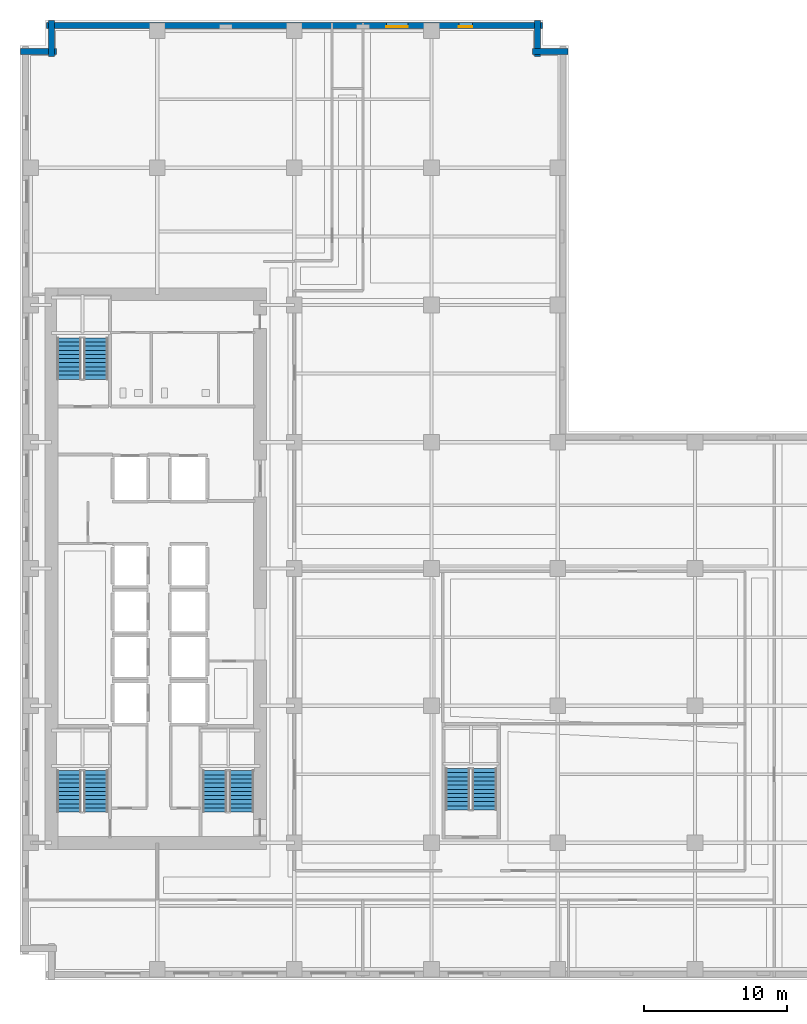
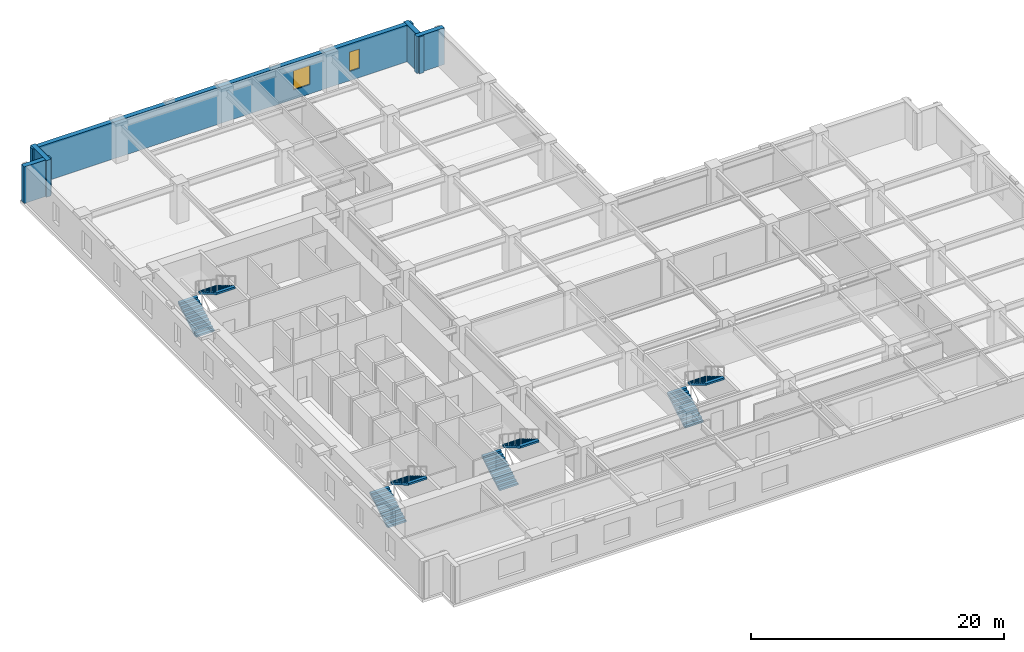
# One storey, part 8 of 13: 8 stair flights, 5 walls, 2 windows, 2 openings, 4 elements without a shape of their own.
"""IFC4 building model written with IfcOpenShell, lengths in metres."""

from ifc_helpers import new_model, si_unit, direction, frame, frame_2d, origin, place, context, subcontext, project, spatial, polyline, rectangle, outline, extrude, material, layer, layer_set, type_object, element, fill, aggregate, save


model = new_model("IFC4")

# Units and contexts
model_context = context("Model", 3, precision=1e-05, world=origin(), true_north=direction((0.0, 1.0)))
body_context = subcontext(model_context, "Body", "Model", "MODEL_VIEW")
ifc_project = project(units=[si_unit("LENGTHUNIT", "METRE"), si_unit("AREAUNIT", "SQUARE_METRE"), si_unit("VOLUMEUNIT", "CUBIC_METRE"), si_unit("PLANEANGLEUNIT", "RADIAN"), si_unit("MASSUNIT", "GRAM", prefix="KILO")], contexts=[model_context])

# Site, building, storey
site_placement = place(None, origin())
site = spatial("IfcSite", under=ifc_project, at=site_placement, CompositionType="ELEMENT")
building_placement = place(site_placement, origin())
building = spatial("IfcBuilding", under=site, at=building_placement, Name="Norrvale University Quadrangle", CompositionType="ELEMENT")
storey_placement = place(building_placement, frame((0.0, 0.0, 66.0)))
storey = spatial("IfcBuildingStorey", under=building, at=storey_placement, Name="L16", CompositionType="ELEMENT", Elevation=66.0)

# Walls
ifc_material_1 = material(Name="Buff Norman Clay Brick Masonry", Category="masonry")
ifc_layer = layer(ifc_material_1, 0.419921875, Name="Buff Norman Clay Brick Masonry")
ifc_layer_set = layer_set([ifc_layer], Name="Buff Norman Clay Brick Masonry")
wall_type = type_object("IfcWallType", Name="Wall Buff Brick 420", PredefinedType="SOLIDWALL", material=ifc_layer_set)
for number, where, z_axis, x_axis, name in (
    (1, (38.360107421875, 65.010009765625, 0.0), (0.0, 0.0, 1.0), (-1.0, 0.0, 0.0), "Exterior Brick Facade Wall L16-09.1"),
    (2, (36.2099609375, 64.659912109375, 0.0), (0.0, 0.0, 1.0), (0.0, 1.0, 0.0), "Exterior Brick Facade Wall L16-10.1"),
):
    element("IfcWall", number, at=place(storey_placement, frame(where, z_axis=z_axis, x_axis=x_axis)), inside=storey, type_object=wall_type, Name=name, PredefinedType="SOLIDWALL", context=body_context, shape_type="SweptSolid", body=[
        extrude(rectangle(XDim=2.5, YDim=0.419921875, at=frame_2d((1.25, 0.0))), origin(), (0.0, 0.0, 1.0), 3.5400390625),
    ])

# Wall, openings, windows
wall_placement = place(storey_placement, frame((36.56005859375, 66.81005859375, 0.0), z_axis=(0.0, 0.0, 1.0), x_axis=(-1.0, 0.0, 0.0)))
wall = element("IfcWall", 3, at=wall_placement, inside=storey, type_object=wall_type, Name="Exterior Brick Facade Wall L16-11.1", PredefinedType="SOLIDWALL", context=body_context, shape_type="SweptSolid", body=[
    extrude(rectangle(XDim=34.719970703125, YDim=0.419921875, at=frame_2d((17.35986328125, 0.0))), origin(), (0.0, 0.0, 1.0), 3.5400390625),
])
opening_1_placement = place(wall_placement, frame((4.885009765625, 0.0, 0.89990234375)))
opening_1 = element("IfcOpeningElement", 4, at=opening_1_placement, cuts=wall, Name="Opening W04", PredefinedType="OPENING", context=body_context, shape_type="SweptSolid", body=[
    extrude(rectangle(XDim=0.949951171875, YDim=1.85009765625, at=frame_2d((0.47509765625, 0.925048828125))), frame((0.0, 0.221923828125, 0.0), z_axis=(0.0, -1.0, 0.0), x_axis=(1.0, 0.0, 0.0)), (0.0, 0.0, 1.0), 0.44384765625),
])
opening_2_placement = place(wall_placement, frame((9.409912109375, 0.0, 0.89990234375)))
opening_2 = element("IfcOpeningElement", 5, at=opening_2_placement, cuts=wall, Name="Opening W03", PredefinedType="OPENING", context=body_context, shape_type="SweptSolid", body=[
    extrude(rectangle(XDim=1.5, YDim=1.85009765625, at=frame_2d((0.75, 0.925048828125))), frame((0.0, 0.221923828125, 0.0), z_axis=(0.0, -1.0, 0.0), x_axis=(1.0, 0.0, 0.0)), (0.0, 0.0, 1.0), 0.44384765625),
])
ifc_material_2 = material(Name="Triple Low-E Argon Glazing", Category="glass")
window_type_1 = type_object("IfcWindowType", Name="Window Narrow Pier 950x2300", PartitioningType="SINGLE_PANEL", PredefinedType="WINDOW", material=ifc_material_2)
window_1_placement = place(opening_1_placement, origin())
window_1 = element("IfcWindow", 6, at=window_1_placement, inside=storey, type_object=window_type_1, Name="Window Narrow Pier 950x2300 WIN-L16-E11-1-01", OverallHeight=1.85009765625, OverallWidth=0.949951171875, PartitioningType="SINGLE_PANEL", PredefinedType="WINDOW", context=body_context, shape_type="SweptSolid", body=[
    extrude(rectangle(XDim=0.949951171875, YDim=1.85009765625, at=frame_2d((0.47509765625, 0.925048828125))), frame((0.0, 0.110107421875, 0.0), z_axis=(0.0, -1.0, 0.0), x_axis=(1.0, 0.0, 0.0)), (0.0, 0.0, 1.0), 0.06005859375),
])
fill(opening_1, window_1)
window_type_2 = type_object("IfcWindowType", Name="Window Studio 1500x2300", PartitioningType="DOUBLE_PANEL_VERTICAL", PredefinedType="WINDOW", material=ifc_material_2)
window_2_placement = place(opening_2_placement, origin())
window_2 = element("IfcWindow", 7, at=window_2_placement, inside=storey, type_object=window_type_2, Name="Window Studio 1500x2300 WIN-L16-E11-1-02", OverallHeight=1.85009765625, OverallWidth=1.5, PartitioningType="DOUBLE_PANEL_VERTICAL", PredefinedType="WINDOW", context=body_context, shape_type="SweptSolid", body=[
    extrude(rectangle(XDim=1.5, YDim=1.85009765625, at=frame_2d((0.75, 0.925048828125))), frame((0.0, 0.110107421875, 0.0), z_axis=(0.0, -1.0, 0.0), x_axis=(1.0, 0.0, 0.0)), (0.0, 0.0, 1.0), 0.06005859375),
])
fill(opening_2, window_2)

# Walls
for number, where, z_axis, x_axis, name in (
    (8, (2.18994140625, 67.159912109375, 0.0), (0.0, 0.0, 1.0), (0.0, -1.0, 0.0), "Exterior Brick Facade Wall L16-12.1"),
    (9, (2.5400390625, 65.010009765625, 0.0), (0.0, 0.0, 1.0), (-1.0, 0.0, 0.0), "Exterior Brick Facade Wall L16-13.1"),
):
    element("IfcWall", number, at=place(storey_placement, frame(where, z_axis=z_axis, x_axis=x_axis)), inside=storey, type_object=wall_type, Name=name, PredefinedType="SOLIDWALL", context=body_context, shape_type="SweptSolid", body=[
        extrude(rectangle(XDim=2.5, YDim=0.419921875, at=frame_2d((1.25, 0.0))), origin(), (0.0, 0.0, 1.0), 3.5400390625),
    ])

# Stair, stair flights
ifc_material_3 = material(Name="Concrete C40/50", Category="concrete")
stair_type = type_object("IfcStairType", Name="Stair Tower Typ 3800", PredefinedType="TWO_STRAIGHT_RUN_STAIR", material=ifc_material_3)
stair_1_placement = place(storey_placement, origin())
stair_1 = element("IfcStair", 10, at=stair_1_placement, inside=storey, type_object=stair_type, Name="Exit Stair ST-01 L16", PredefinedType="TWO_STRAIGHT_RUN_STAIR")
stair_flight_type = type_object("IfcStairFlightType", Name="Flight Typ 1500", PredefinedType="STRAIGHT", material=ifc_material_3)
stair_flight_1_placement = place(storey_placement, frame((3.429931640625, 11.75, 0.0), z_axis=(0.0, 0.0, 1.0), x_axis=(0.0, 1.0, 0.0)))
stair_flight_1 = element("IfcStairFlight", 11, at=stair_flight_1_placement, type_object=stair_flight_type, Name="Exit Stair ST-01 L16 Lower Flight", NumberOfRisers=11, NumberOfTreads=10, PredefinedType="STRAIGHT", RiserHeight=0.172727, TreadLength=0.29, context=body_context, shape_type="SweptSolid", body=[
    extrude(outline(polyline([(0.0, 0.0), (0.0, 0.172607421875), (0.2900390625, 0.172607421875), (0.2900390625, 0.345458984375), (0.580078125, 0.345458984375), (0.580078125, 0.51806640625), (0.8701171875, 0.51806640625), (0.8701171875, 0.69091796875), (1.159912109375, 0.69091796875), (1.159912109375, 0.863525390625), (1.449951171875, 0.863525390625), (1.449951171875, 1.036376953125), (1.739990234375, 1.036376953125), (1.739990234375, 1.208984375), (2.030029296875, 1.208984375), (2.030029296875, 1.3818359375), (2.320068359375, 1.3818359375), (2.320068359375, 1.554443359375), (2.610107421875, 1.554443359375), (2.610107421875, 1.727294921875), (2.89990234375, 1.727294921875), (2.89990234375, 1.89990234375), (2.89990234375, 1.552734375), (0.29296875, 0.0), (0.0, 0.0)])), frame((0.0, 0.83984375, 0.0), z_axis=(0.0, -1.0, 0.0), x_axis=(1.0, 0.0, 0.0)), (0.0, 0.0, 1.0), 1.679931640625),
])
stair_flight_2_placement = place(storey_placement, frame((5.320068359375, 14.64990234375, 1.89990234375), z_axis=(0.0, 0.0, 1.0), x_axis=(0.0, -1.0, 0.0)))
stair_flight_2 = element("IfcStairFlight", 12, at=stair_flight_2_placement, type_object=stair_flight_type, Name="Exit Stair ST-01 L16 Upper Flight", NumberOfRisers=11, NumberOfTreads=10, PredefinedType="STRAIGHT", RiserHeight=0.172727, TreadLength=0.29, context=body_context, shape_type="SweptSolid", body=[
    extrude(outline(polyline([(0.0, 0.0), (0.0, 0.172607421875), (0.2900390625, 0.172607421875), (0.2900390625, 0.345458984375), (0.580078125, 0.345458984375), (0.580078125, 0.51806640625), (0.8701171875, 0.51806640625), (0.8701171875, 0.69091796875), (1.159912109375, 0.69091796875), (1.159912109375, 0.863525390625), (1.449951171875, 0.863525390625), (1.449951171875, 1.036376953125), (1.739990234375, 1.036376953125), (1.739990234375, 1.208984375), (2.030029296875, 1.208984375), (2.030029296875, 1.3818359375), (2.320068359375, 1.3818359375), (2.320068359375, 1.554443359375), (2.610107421875, 1.554443359375), (2.610107421875, 1.727294921875), (2.89990234375, 1.727294921875), (2.89990234375, 1.89990234375), (2.89990234375, 1.552734375), (0.29296875, 0.0), (0.0, 0.0)])), frame((0.0, 0.83984375, 0.0), z_axis=(0.0, -1.0, 0.0), x_axis=(1.0, 0.0, 0.0)), (0.0, 0.0, 1.0), 1.679931640625),
])
aggregate(stair_1, [stair_flight_1, stair_flight_2])

stair_2_placement = place(storey_placement, origin())
stair_2 = element("IfcStair", 13, at=stair_2_placement, inside=storey, type_object=stair_type, Name="Exit Stair ST-02 L16", PredefinedType="TWO_STRAIGHT_RUN_STAIR")
stair_flight_3_placement = place(storey_placement, frame((3.429931640625, 42.050048828125, 0.0), z_axis=(0.0, 0.0, 1.0), x_axis=(0.0, 1.0, 0.0)))
stair_flight_3 = element("IfcStairFlight", 14, at=stair_flight_3_placement, type_object=stair_flight_type, Name="Exit Stair ST-02 L16 Lower Flight", NumberOfRisers=11, NumberOfTreads=10, PredefinedType="STRAIGHT", RiserHeight=0.172727, TreadLength=0.29, context=body_context, shape_type="SweptSolid", body=[
    extrude(outline(polyline([(0.0, 0.0), (0.0, 0.172607421875), (0.2900390625, 0.172607421875), (0.2900390625, 0.345458984375), (0.580078125, 0.345458984375), (0.580078125, 0.51806640625), (0.8701171875, 0.51806640625), (0.8701171875, 0.69091796875), (1.159912109375, 0.69091796875), (1.159912109375, 0.863525390625), (1.449951171875, 0.863525390625), (1.449951171875, 1.036376953125), (1.739990234375, 1.036376953125), (1.739990234375, 1.208984375), (2.030029296875, 1.208984375), (2.030029296875, 1.3818359375), (2.320068359375, 1.3818359375), (2.320068359375, 1.554443359375), (2.610107421875, 1.554443359375), (2.610107421875, 1.727294921875), (2.89990234375, 1.727294921875), (2.89990234375, 1.89990234375), (2.89990234375, 1.552734375), (0.29296875, 0.0), (0.0, 0.0)])), frame((0.0, 0.83984375, 0.0), z_axis=(0.0, -1.0, 0.0), x_axis=(1.0, 0.0, 0.0)), (0.0, 0.0, 1.0), 1.679931640625),
])
stair_flight_4_placement = place(storey_placement, frame((5.320068359375, 44.949951171875, 1.89990234375), z_axis=(0.0, 0.0, 1.0), x_axis=(0.0, -1.0, 0.0)))
stair_flight_4 = element("IfcStairFlight", 15, at=stair_flight_4_placement, type_object=stair_flight_type, Name="Exit Stair ST-02 L16 Upper Flight", NumberOfRisers=11, NumberOfTreads=10, PredefinedType="STRAIGHT", RiserHeight=0.172727, TreadLength=0.29, context=body_context, shape_type="SweptSolid", body=[
    extrude(outline(polyline([(0.0, 0.0), (0.0, 0.172607421875), (0.2900390625, 0.172607421875), (0.2900390625, 0.345458984375), (0.580078125, 0.345458984375), (0.580078125, 0.51806640625), (0.8701171875, 0.51806640625), (0.8701171875, 0.69091796875), (1.159912109375, 0.69091796875), (1.159912109375, 0.863525390625), (1.449951171875, 0.863525390625), (1.449951171875, 1.036376953125), (1.739990234375, 1.036376953125), (1.739990234375, 1.208984375), (2.030029296875, 1.208984375), (2.030029296875, 1.3818359375), (2.320068359375, 1.3818359375), (2.320068359375, 1.554443359375), (2.610107421875, 1.554443359375), (2.610107421875, 1.727294921875), (2.89990234375, 1.727294921875), (2.89990234375, 1.89990234375), (2.89990234375, 1.552734375), (0.29296875, 0.0), (0.0, 0.0)])), frame((0.0, 0.83984375, 0.0), z_axis=(0.0, -1.0, 0.0), x_axis=(1.0, 0.0, 0.0)), (0.0, 0.0, 1.0), 1.679931640625),
])
aggregate(stair_2, [stair_flight_3, stair_flight_4])

stair_3_placement = place(storey_placement, origin())
stair_3 = element("IfcStair", 16, at=stair_3_placement, inside=storey, type_object=stair_type, Name="Exit Stair ST-03 L16", PredefinedType="TWO_STRAIGHT_RUN_STAIR")
stair_flight_5_placement = place(storey_placement, frame((13.6298828125, 11.75, 0.0), z_axis=(0.0, 0.0, 1.0), x_axis=(0.0, 1.0, 0.0)))
stair_flight_5 = element("IfcStairFlight", 17, at=stair_flight_5_placement, type_object=stair_flight_type, Name="Exit Stair ST-03 L16 Lower Flight", NumberOfRisers=11, NumberOfTreads=10, PredefinedType="STRAIGHT", RiserHeight=0.172727, TreadLength=0.29, context=body_context, shape_type="SweptSolid", body=[
    extrude(outline(polyline([(0.0, 0.0), (0.0, 0.172607421875), (0.2900390625, 0.172607421875), (0.2900390625, 0.345458984375), (0.580078125, 0.345458984375), (0.580078125, 0.51806640625), (0.8701171875, 0.51806640625), (0.8701171875, 0.69091796875), (1.159912109375, 0.69091796875), (1.159912109375, 0.863525390625), (1.449951171875, 0.863525390625), (1.449951171875, 1.036376953125), (1.739990234375, 1.036376953125), (1.739990234375, 1.208984375), (2.030029296875, 1.208984375), (2.030029296875, 1.3818359375), (2.320068359375, 1.3818359375), (2.320068359375, 1.554443359375), (2.610107421875, 1.554443359375), (2.610107421875, 1.727294921875), (2.89990234375, 1.727294921875), (2.89990234375, 1.89990234375), (2.89990234375, 1.552734375), (0.29296875, 0.0), (0.0, 0.0)])), frame((0.0, 0.83984375, 0.0), z_axis=(0.0, -1.0, 0.0), x_axis=(1.0, 0.0, 0.0)), (0.0, 0.0, 1.0), 1.679931640625),
])
stair_flight_6_placement = place(storey_placement, frame((15.52001953125, 14.64990234375, 1.89990234375), z_axis=(0.0, 0.0, 1.0), x_axis=(0.0, -1.0, 0.0)))
stair_flight_6 = element("IfcStairFlight", 18, at=stair_flight_6_placement, type_object=stair_flight_type, Name="Exit Stair ST-03 L16 Upper Flight", NumberOfRisers=11, NumberOfTreads=10, PredefinedType="STRAIGHT", RiserHeight=0.172727, TreadLength=0.29, context=body_context, shape_type="SweptSolid", body=[
    extrude(outline(polyline([(0.0, 0.0), (0.0, 0.172607421875), (0.2900390625, 0.172607421875), (0.2900390625, 0.345458984375), (0.580078125, 0.345458984375), (0.580078125, 0.51806640625), (0.8701171875, 0.51806640625), (0.8701171875, 0.69091796875), (1.159912109375, 0.69091796875), (1.159912109375, 0.863525390625), (1.449951171875, 0.863525390625), (1.449951171875, 1.036376953125), (1.739990234375, 1.036376953125), (1.739990234375, 1.208984375), (2.030029296875, 1.208984375), (2.030029296875, 1.3818359375), (2.320068359375, 1.3818359375), (2.320068359375, 1.554443359375), (2.610107421875, 1.554443359375), (2.610107421875, 1.727294921875), (2.89990234375, 1.727294921875), (2.89990234375, 1.89990234375), (2.89990234375, 1.552734375), (0.29296875, 0.0), (0.0, 0.0)])), frame((0.0, 0.83984375, 0.0), z_axis=(0.0, -1.0, 0.0), x_axis=(1.0, 0.0, 0.0)), (0.0, 0.0, 1.0), 1.679931640625),
])
aggregate(stair_3, [stair_flight_5, stair_flight_6])

stair_4_placement = place(storey_placement, origin())
stair_4 = element("IfcStair", 19, at=stair_4_placement, inside=storey, type_object=stair_type, Name="Exit Stair ST-04 L16", PredefinedType="TWO_STRAIGHT_RUN_STAIR")
stair_flight_7_placement = place(storey_placement, frame((30.6298828125, 11.89990234375, 0.0), z_axis=(0.0, 0.0, 1.0), x_axis=(0.0, 1.0, 0.0)))
stair_flight_7 = element("IfcStairFlight", 20, at=stair_flight_7_placement, type_object=stair_flight_type, Name="Exit Stair ST-04 L16 Lower Flight", NumberOfRisers=11, NumberOfTreads=10, PredefinedType="STRAIGHT", RiserHeight=0.172727, TreadLength=0.29, context=body_context, shape_type="SweptSolid", body=[
    extrude(outline(polyline([(0.0, 0.0), (0.0, 0.172607421875), (0.2900390625, 0.172607421875), (0.2900390625, 0.345458984375), (0.580078125, 0.345458984375), (0.580078125, 0.51806640625), (0.8701171875, 0.51806640625), (0.8701171875, 0.69091796875), (1.159912109375, 0.69091796875), (1.159912109375, 0.863525390625), (1.449951171875, 0.863525390625), (1.449951171875, 1.036376953125), (1.739990234375, 1.036376953125), (1.739990234375, 1.208984375), (2.030029296875, 1.208984375), (2.030029296875, 1.3818359375), (2.320068359375, 1.3818359375), (2.320068359375, 1.554443359375), (2.610107421875, 1.554443359375), (2.610107421875, 1.727294921875), (2.89990234375, 1.727294921875), (2.89990234375, 1.89990234375), (2.89990234375, 1.552734375), (0.29296875, 0.0), (0.0, 0.0)])), frame((0.0, 0.83984375, 0.0), z_axis=(0.0, -1.0, 0.0), x_axis=(1.0, 0.0, 0.0)), (0.0, 0.0, 1.0), 1.679931640625),
])
stair_flight_8_placement = place(storey_placement, frame((32.52001953125, 14.800048828125, 1.89990234375), z_axis=(0.0, 0.0, 1.0), x_axis=(0.0, -1.0, 0.0)))
stair_flight_8 = element("IfcStairFlight", 21, at=stair_flight_8_placement, type_object=stair_flight_type, Name="Exit Stair ST-04 L16 Upper Flight", NumberOfRisers=11, NumberOfTreads=10, PredefinedType="STRAIGHT", RiserHeight=0.172727, TreadLength=0.29, context=body_context, shape_type="SweptSolid", body=[
    extrude(outline(polyline([(0.0, 0.0), (0.0, 0.172607421875), (0.2900390625, 0.172607421875), (0.2900390625, 0.345458984375), (0.580078125, 0.345458984375), (0.580078125, 0.51806640625), (0.8701171875, 0.51806640625), (0.8701171875, 0.69091796875), (1.159912109375, 0.69091796875), (1.159912109375, 0.863525390625), (1.449951171875, 0.863525390625), (1.449951171875, 1.036376953125), (1.739990234375, 1.036376953125), (1.739990234375, 1.208984375), (2.030029296875, 1.208984375), (2.030029296875, 1.3818359375), (2.320068359375, 1.3818359375), (2.320068359375, 1.554443359375), (2.610107421875, 1.554443359375), (2.610107421875, 1.727294921875), (2.89990234375, 1.727294921875), (2.89990234375, 1.89990234375), (2.89990234375, 1.552734375), (0.29296875, 0.0), (0.0, 0.0)])), frame((0.0, 0.83984375, 0.0), z_axis=(0.0, -1.0, 0.0), x_axis=(1.0, 0.0, 0.0)), (0.0, 0.0, 1.0), 1.679931640625),
])
aggregate(stair_4, [stair_flight_7, stair_flight_8])

save(model, "model.ifc")
